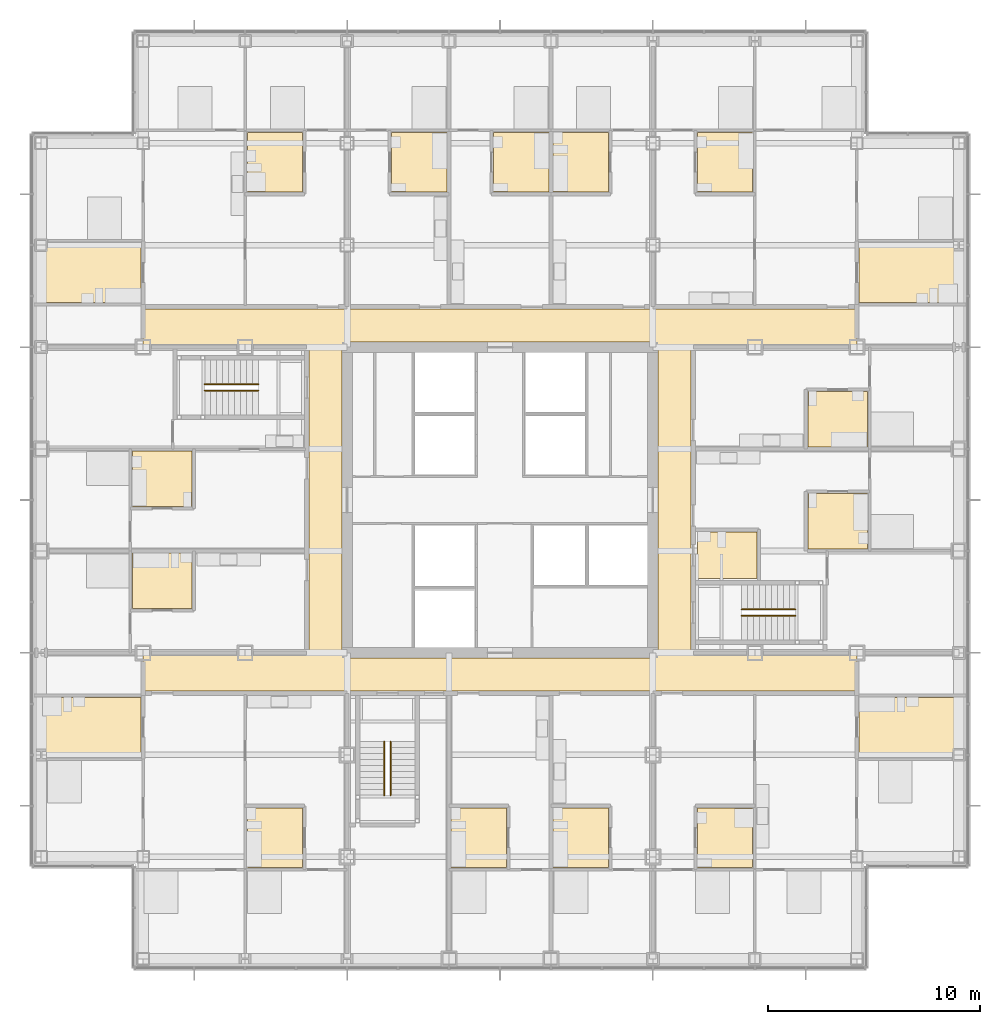
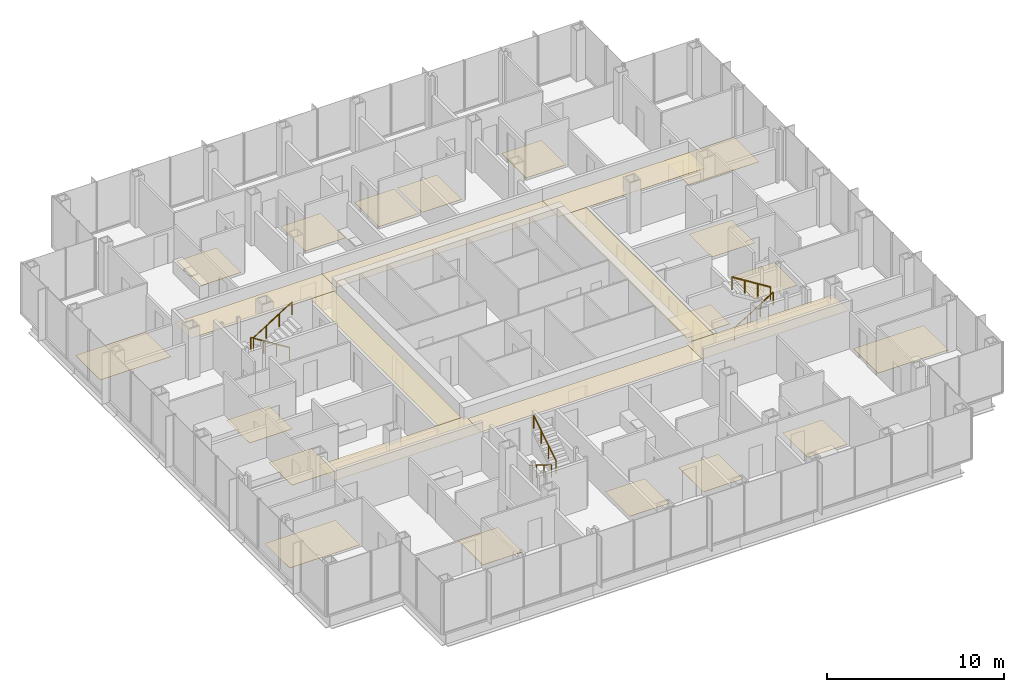
# One storey, part 19 of 21: 26 coverings, 6 railings.
"""IFC4 building model written with IfcOpenShell, lengths in metres."""

from ifc_helpers import new_model, si_unit, direction, frame, origin, origin_2d, place, context, subcontext, project, spatial, polyline, circle, outline, extrude, material, layer, layer_set, type_object, element, save


model = new_model("IFC4")

# Units and contexts
model_context = context("Model", 3, precision=1e-05, world=origin(), true_north=direction((0.0, 1.0)))
body_context = subcontext(model_context, "Body", "Model", "MODEL_VIEW")
ifc_project = project(units=[si_unit("LENGTHUNIT", "METRE"), si_unit("AREAUNIT", "SQUARE_METRE"), si_unit("VOLUMEUNIT", "CUBIC_METRE"), si_unit("PLANEANGLEUNIT", "RADIAN"), si_unit("MASSUNIT", "GRAM", prefix="KILO")], contexts=[model_context])

# Site, building, storey
site_placement = place(None, origin())
site = spatial("IfcSite", under=ifc_project, at=site_placement, CompositionType="ELEMENT")
building_placement = place(site_placement, origin())
building = spatial("IfcBuilding", under=site, at=building_placement, Name="Kvirike Care Tower", CompositionType="ELEMENT")
storey_placement = place(building_placement, frame((0.0, 0.0, 48.0)))
storey = spatial("IfcBuildingStorey", under=building, at=storey_placement, Name="L12", CompositionType="ELEMENT", Elevation=48.0)

# Coverings
ifc_material_1 = material(Name="Perforated metal ceiling tile", Category="aluminium")
ifc_layer_1 = layer(ifc_material_1, 0.014892578125)
ifc_layer_set_1 = layer_set([ifc_layer_1], Name="CORRIDOR CEILING 15")
covering_type_1 = type_object("IfcCoveringType", Name="CORRIDOR CEILING 15", PredefinedType="CEILING", material=ifc_layer_set_1)
covering_1_placement = place(storey_placement, frame((0.0, 0.0, 2.5)))
element("IfcCovering", 1, at=covering_1_placement, inside=storey, type_object=covering_type_1, Name="Corridor ceiling L12", PredefinedType="CEILING", context=body_context, shape_type="SweptSolid", body=[
    extrude(outline(polyline([(4.800048828125, 27.0), (4.800048828125, 28.800048828125), (14.39990234375, 28.800048828125), (14.39990234375, 27.0), (4.800048828125, 27.0)])), origin(), (0.0, 0.0, 1.0), 0.014892578125),
])
covering_2_placement = place(storey_placement, frame((0.0, 0.0, 2.5)))
element("IfcCovering", 2, at=covering_2_placement, inside=storey, type_object=covering_type_1, Name="Corridor ceiling L12", PredefinedType="CEILING", context=body_context, shape_type="SweptSolid", body=[
    extrude(outline(polyline([(12.60009765625, 43.199951171875), (14.14990234375, 43.199951171875), (14.14990234375, 28.800048828125), (12.60009765625, 28.800048828125), (12.60009765625, 43.199951171875)])), origin(), (0.0, 0.0, 1.0), 0.014892578125),
])
covering_3_placement = place(storey_placement, frame((0.0, 0.0, 2.5)))
element("IfcCovering", 3, at=covering_3_placement, inside=storey, type_object=covering_type_1, Name="Corridor ceiling L12", PredefinedType="CEILING", context=body_context, shape_type="SweptSolid", body=[
    extrude(outline(polyline([(14.39990234375, 45.0), (14.39990234375, 43.199951171875), (4.800048828125, 43.199951171875), (4.800048828125, 45.0), (14.39990234375, 45.0)])), origin(), (0.0, 0.0, 1.0), 0.014892578125),
])
covering_4_placement = place(storey_placement, frame((0.0, 0.0, 2.5)))
element("IfcCovering", 4, at=covering_4_placement, inside=storey, type_object=covering_type_1, Name="Corridor ceiling L12", PredefinedType="CEILING", context=body_context, shape_type="SweptSolid", body=[
    extrude(outline(polyline([(14.39990234375, 27.0), (14.39990234375, 28.550048828125), (28.800048828125, 28.550048828125), (28.800048828125, 27.0), (14.39990234375, 27.0)])), origin(), (0.0, 0.0, 1.0), 0.014892578125),
])
covering_5_placement = place(storey_placement, frame((0.0, 0.0, 2.5)))
element("IfcCovering", 5, at=covering_5_placement, inside=storey, type_object=covering_type_1, Name="Corridor ceiling L12", PredefinedType="CEILING", context=body_context, shape_type="SweptSolid", body=[
    extrude(outline(polyline([(28.800048828125, 45.0), (28.800048828125, 43.449951171875), (14.39990234375, 43.449951171875), (14.39990234375, 45.0), (28.800048828125, 45.0)])), origin(), (0.0, 0.0, 1.0), 0.014892578125),
])
covering_6_placement = place(storey_placement, frame((0.0, 0.0, 2.5)))
element("IfcCovering", 6, at=covering_6_placement, inside=storey, type_object=covering_type_1, Name="Corridor ceiling L12", PredefinedType="CEILING", context=body_context, shape_type="SweptSolid", body=[
    extrude(outline(polyline([(28.800048828125, 27.0), (28.800048828125, 28.800048828125), (38.39990234375, 28.800048828125), (38.39990234375, 27.0), (28.800048828125, 27.0)])), origin(), (0.0, 0.0, 1.0), 0.014892578125),
])
covering_7_placement = place(storey_placement, frame((0.0, 0.0, 2.5)))
element("IfcCovering", 7, at=covering_7_placement, inside=storey, type_object=covering_type_1, Name="Corridor ceiling L12", PredefinedType="CEILING", context=body_context, shape_type="SweptSolid", body=[
    extrude(outline(polyline([(30.60009765625, 28.800048828125), (29.050048828125, 28.800048828125), (29.050048828125, 43.199951171875), (30.60009765625, 43.199951171875), (30.60009765625, 28.800048828125)])), origin(), (0.0, 0.0, 1.0), 0.014892578125),
])
covering_8_placement = place(storey_placement, frame((0.0, 0.0, 2.5)))
element("IfcCovering", 8, at=covering_8_placement, inside=storey, type_object=covering_type_1, Name="Corridor ceiling L12", PredefinedType="CEILING", context=body_context, shape_type="SweptSolid", body=[
    extrude(outline(polyline([(38.39990234375, 45.0), (38.39990234375, 43.199951171875), (28.800048828125, 43.199951171875), (28.800048828125, 45.0), (38.39990234375, 45.0)])), origin(), (0.0, 0.0, 1.0), 0.014892578125),
])

# Railings
ifc_material_2 = material(Name="Stainless steel handrail", Category="steel")
railing_type = type_object("IfcRailingType", Name="STAIR HANDRAIL 900", PredefinedType="HANDRAIL", material=ifc_material_2)
railing_1_placement = place(storey_placement, frame((10.219970703125, 41.449951171875, 0.175048828125)))
element("IfcRailing", 9, at=railing_1_placement, inside=storey, type_object=railing_type, Name="Stair 1 handrail L12 flight 1", PredefinedType="HANDRAIL", context=body_context, shape_type="SweptSolid", body=[
    extrude(circle(Radius=0.02490234375, at=origin_2d()), frame((0.0, 0.0, 0.875), z_axis=(-0.848007534815, 0.0, 0.529984170421), x_axis=(0.0, -1.0, 0.0)), (0.0, 0.0, 1.0), 2.9716796875),
    extrude(circle(Radius=0.02001953125, at=origin_2d()), origin(), (0.0, 0.0, 1.0), 0.849853515625),
    extrude(circle(Radius=0.02001953125, at=origin_2d()), frame((-0.840087890625, 0.0, 0.52490234375)), (0.0, 0.0, 1.0), 0.849853515625),
    extrude(circle(Radius=0.02001953125, at=origin_2d()), frame((-1.679931640625, 0.0, 1.050048828125)), (0.0, 0.0, 1.0), 0.849853515625),
    extrude(circle(Radius=0.02001953125, at=origin_2d()), frame((-2.52001953125, 0.0, 1.574951171875)), (0.0, 0.0, 1.0), 0.849853515625),
])
for number, where, name in (
    (10, (7.699951171875, 41.14990234375, 1.925048828125), "Stair 1 handrail L12 flight 2"),
    (11, (32.97998046875, 30.550048828125, 0.175048828125), "Stair 2 handrail L12 flight 1"),
):
    element("IfcRailing", number, at=place(storey_placement, frame(where)), inside=storey, type_object=railing_type, Name=name, PredefinedType="HANDRAIL", context=body_context, shape_type="SweptSolid", body=[
        extrude(circle(Radius=0.02490234375, at=origin_2d()), frame((0.0, 0.0, 0.875), z_axis=(0.848007534815, 0.0, 0.529984170421), x_axis=(0.0, 1.0, 0.0)), (0.0, 0.0, 1.0), 2.9716796875),
        extrude(circle(Radius=0.02001953125, at=origin_2d()), origin(), (0.0, 0.0, 1.0), 0.849853515625),
        extrude(circle(Radius=0.02001953125, at=origin_2d()), frame((0.840087890625, 0.0, 0.52490234375)), (0.0, 0.0, 1.0), 0.849853515625),
        extrude(circle(Radius=0.02001953125, at=origin_2d()), frame((1.679931640625, 0.0, 1.050048828125)), (0.0, 0.0, 1.0), 0.849853515625),
        extrude(circle(Radius=0.02001953125, at=origin_2d()), frame((2.52001953125, 0.0, 1.574951171875)), (0.0, 0.0, 1.0), 0.849853515625),
    ])
railing_2_placement = place(storey_placement, frame((35.5, 30.85009765625, 1.925048828125)))
element("IfcRailing", 12, at=railing_2_placement, inside=storey, type_object=railing_type, Name="Stair 2 handrail L12 flight 2", PredefinedType="HANDRAIL", context=body_context, shape_type="SweptSolid", body=[
    extrude(circle(Radius=0.02490234375, at=origin_2d()), frame((0.0, 0.0, 0.875), z_axis=(-0.848007534815, 0.0, 0.529984170421), x_axis=(0.0, -1.0, 0.0)), (0.0, 0.0, 1.0), 2.9716796875),
    extrude(circle(Radius=0.02001953125, at=origin_2d()), origin(), (0.0, 0.0, 1.0), 0.849853515625),
    extrude(circle(Radius=0.02001953125, at=origin_2d()), frame((-0.840087890625, 0.0, 0.52490234375)), (0.0, 0.0, 1.0), 0.849853515625),
    extrude(circle(Radius=0.02001953125, at=origin_2d()), frame((-1.679931640625, 0.0, 1.050048828125)), (0.0, 0.0, 1.0), 0.849853515625),
    extrude(circle(Radius=0.02001953125, at=origin_2d()), frame((-2.52001953125, 0.0, 1.574951171875)), (0.0, 0.0, 1.0), 0.849853515625),
])
railing_3_placement = place(storey_placement, frame((16.14990234375, 24.6201171875, 0.175048828125)))
element("IfcRailing", 13, at=railing_3_placement, inside=storey, type_object=railing_type, Name="Stair 5 handrail L12 flight 1", PredefinedType="HANDRAIL", context=body_context, shape_type="SweptSolid", body=[
    extrude(circle(Radius=0.02490234375, at=origin_2d()), frame((0.0, 0.0, 0.875), z_axis=(0.0, -0.848007534815, 0.529984170421), x_axis=(1.0, 0.0, 0.0)), (0.0, 0.0, 1.0), 2.9716796875),
    extrude(circle(Radius=0.02001953125, at=origin_2d()), origin(), (0.0, 0.0, 1.0), 0.849853515625),
    extrude(circle(Radius=0.02001953125, at=origin_2d()), frame((0.0, -0.840087890625, 0.52490234375)), (0.0, 0.0, 1.0), 0.849853515625),
    extrude(circle(Radius=0.02001953125, at=origin_2d()), frame((0.0, -1.679931640625, 1.050048828125)), (0.0, 0.0, 1.0), 0.849853515625),
    extrude(circle(Radius=0.02001953125, at=origin_2d()), frame((0.0, -2.52001953125, 1.574951171875)), (0.0, 0.0, 1.0), 0.849853515625),
])
railing_4_placement = place(storey_placement, frame((16.449951171875, 22.10009765625, 1.925048828125)))
element("IfcRailing", 14, at=railing_4_placement, inside=storey, type_object=railing_type, Name="Stair 5 handrail L12 flight 2", PredefinedType="HANDRAIL", context=body_context, shape_type="SweptSolid", body=[
    extrude(circle(Radius=0.02490234375, at=origin_2d()), frame((0.0, 0.0, 0.875), z_axis=(0.0, 0.848007534815, 0.529984170421), x_axis=(-1.0, 0.0, 0.0)), (0.0, 0.0, 1.0), 2.9716796875),
    extrude(circle(Radius=0.02001953125, at=origin_2d()), origin(), (0.0, 0.0, 1.0), 0.849853515625),
    extrude(circle(Radius=0.02001953125, at=origin_2d()), frame((0.0, 0.840087890625, 0.52490234375)), (0.0, 0.0, 1.0), 0.849853515625),
    extrude(circle(Radius=0.02001953125, at=origin_2d()), frame((0.0, 1.679931640625, 1.050048828125)), (0.0, 0.0, 1.0), 0.849853515625),
    extrude(circle(Radius=0.02001953125, at=origin_2d()), frame((0.0, 2.52001953125, 1.574951171875)), (0.0, 0.0, 1.0), 0.849853515625),
])

# Coverings
ifc_material_3 = material(Name="Slip-resistant vinyl safety flooring on screed")
ifc_layer_2 = layer(ifc_material_3, 0.02001953125)
ifc_layer_set_2 = layer_set([ifc_layer_2], Name="WET ROOM FLOOR 20")
covering_type_2 = type_object("IfcCoveringType", Name="WET ROOM FLOOR 20", PredefinedType="FLOORING", material=ifc_layer_set_2)
covering_9_placement = place(storey_placement, origin())
element("IfcCovering", 15, at=covering_9_placement, inside=storey, type_object=covering_type_2, Name="Shower room floor L12-005", PredefinedType="FLOORING", context=body_context, shape_type="SweptSolid", body=[
    extrude(outline(polyline([(0.10009765625, 23.89990234375), (0.10009765625, 26.699951171875), (4.699951171875, 26.699951171875), (4.699951171875, 23.89990234375), (0.10009765625, 23.89990234375)])), origin(), (0.0, 0.0, 1.0), 0.02001953125),
])
covering_10_placement = place(storey_placement, origin())
element("IfcCovering", 16, at=covering_10_placement, inside=storey, type_object=covering_type_2, Name="Bathroom floor L12-006", PredefinedType="FLOORING", context=body_context, shape_type="SweptSolid", body=[
    extrude(outline(polyline([(9.699951171875, 18.699951171875), (9.699951171875, 21.5), (12.300048828125, 21.5), (12.300048828125, 18.699951171875), (9.699951171875, 18.699951171875)])), origin(), (0.0, 0.0, 1.0), 0.02001953125),
])
covering_11_placement = place(storey_placement, origin())
element("IfcCovering", 17, at=covering_11_placement, inside=storey, type_object=covering_type_2, Name="Bathroom floor L12-013", PredefinedType="FLOORING", context=body_context, shape_type="SweptSolid", body=[
    extrude(outline(polyline([(4.300048828125, 38.300048828125), (7.10009765625, 38.300048828125), (7.10009765625, 35.699951171875), (4.300048828125, 35.699951171875), (4.300048828125, 38.300048828125)])), origin(), (0.0, 0.0, 1.0), 0.02001953125),
])
covering_12_placement = place(storey_placement, origin())
element("IfcCovering", 18, at=covering_12_placement, inside=storey, type_object=covering_type_2, Name="Bathroom floor L12-017", PredefinedType="FLOORING", context=body_context, shape_type="SweptSolid", body=[
    extrude(outline(polyline([(4.300048828125, 33.5), (7.10009765625, 33.5), (7.10009765625, 30.89990234375), (4.300048828125, 30.89990234375), (4.300048828125, 33.5)])), origin(), (0.0, 0.0, 1.0), 0.02001953125),
])
covering_13_placement = place(storey_placement, origin())
element("IfcCovering", 19, at=covering_13_placement, inside=storey, type_object=covering_type_2, Name="Shower room floor L12-023", PredefinedType="FLOORING", context=body_context, shape_type="SweptSolid", body=[
    extrude(outline(polyline([(12.300048828125, 53.300048828125), (12.300048828125, 50.5), (9.699951171875, 50.5), (9.699951171875, 53.300048828125), (12.300048828125, 53.300048828125)])), origin(), (0.0, 0.0, 1.0), 0.02001953125),
])
covering_14_placement = place(storey_placement, origin())
element("IfcCovering", 20, at=covering_14_placement, inside=storey, type_object=covering_type_2, Name="Bathroom floor L12-024", PredefinedType="FLOORING", context=body_context, shape_type="SweptSolid", body=[
    extrude(outline(polyline([(4.699951171875, 48.10009765625), (4.699951171875, 45.300048828125), (0.10009765625, 45.300048828125), (0.10009765625, 48.10009765625), (4.699951171875, 48.10009765625)])), origin(), (0.0, 0.0, 1.0), 0.02001953125),
])
covering_15_placement = place(storey_placement, origin())
element("IfcCovering", 21, at=covering_15_placement, inside=storey, type_object=covering_type_2, Name="Bathroom floor L12-031", PredefinedType="FLOORING", context=body_context, shape_type="SweptSolid", body=[
    extrude(outline(polyline([(19.300048828125, 18.699951171875), (19.300048828125, 21.5), (21.89990234375, 21.5), (21.89990234375, 18.699951171875), (19.300048828125, 18.699951171875)])), origin(), (0.0, 0.0, 1.0), 0.02001953125),
])
covering_16_placement = place(storey_placement, origin())
element("IfcCovering", 22, at=covering_16_placement, inside=storey, type_object=covering_type_2, Name="Bathroom floor L12-034", PredefinedType="FLOORING", context=body_context, shape_type="SweptSolid", body=[
    extrude(outline(polyline([(24.10009765625, 18.699951171875), (24.10009765625, 21.5), (26.699951171875, 21.5), (26.699951171875, 18.699951171875), (24.10009765625, 18.699951171875)])), origin(), (0.0, 0.0, 1.0), 0.02001953125),
])
covering_17_placement = place(storey_placement, origin())
element("IfcCovering", 23, at=covering_17_placement, inside=storey, type_object=covering_type_2, Name="Bathroom floor L12-038", PredefinedType="FLOORING", context=body_context, shape_type="SweptSolid", body=[
    extrude(outline(polyline([(26.699951171875, 53.300048828125), (26.699951171875, 50.5), (24.10009765625, 50.5), (24.10009765625, 53.300048828125), (26.699951171875, 53.300048828125)])), origin(), (0.0, 0.0, 1.0), 0.02001953125),
])
covering_18_placement = place(storey_placement, origin())
element("IfcCovering", 24, at=covering_18_placement, inside=storey, type_object=covering_type_2, Name="Bathroom floor L12-041", PredefinedType="FLOORING", context=body_context, shape_type="SweptSolid", body=[
    extrude(outline(polyline([(23.89990234375, 53.300048828125), (23.89990234375, 50.5), (21.300048828125, 50.5), (21.300048828125, 53.300048828125), (23.89990234375, 53.300048828125)])), origin(), (0.0, 0.0, 1.0), 0.02001953125),
])
covering_19_placement = place(storey_placement, origin())
element("IfcCovering", 25, at=covering_19_placement, inside=storey, type_object=covering_type_2, Name="Bathroom floor L12-044", PredefinedType="FLOORING", context=body_context, shape_type="SweptSolid", body=[
    extrude(outline(polyline([(19.10009765625, 53.300048828125), (19.10009765625, 50.5), (16.5, 50.5), (16.5, 53.300048828125), (19.10009765625, 53.300048828125)])), origin(), (0.0, 0.0, 1.0), 0.02001953125),
])
covering_20_placement = place(storey_placement, origin())
element("IfcCovering", 26, at=covering_20_placement, inside=storey, type_object=covering_type_2, Name="Shower room floor L12-050", PredefinedType="FLOORING", context=body_context, shape_type="SweptSolid", body=[
    extrude(outline(polyline([(30.89990234375, 18.699951171875), (30.89990234375, 21.5), (33.5, 21.5), (33.5, 18.699951171875), (30.89990234375, 18.699951171875)])), origin(), (0.0, 0.0, 1.0), 0.02001953125),
])
covering_21_placement = place(storey_placement, origin())
element("IfcCovering", 27, at=covering_21_placement, inside=storey, type_object=covering_type_2, Name="Bathroom floor L12-051", PredefinedType="FLOORING", context=body_context, shape_type="SweptSolid", body=[
    extrude(outline(polyline([(38.5, 23.89990234375), (38.5, 26.699951171875), (43.10009765625, 26.699951171875), (43.10009765625, 23.89990234375), (38.5, 23.89990234375)])), origin(), (0.0, 0.0, 1.0), 0.02001953125),
])
covering_22_placement = place(storey_placement, origin())
element("IfcCovering", 28, at=covering_22_placement, inside=storey, type_object=covering_type_2, Name="Accessible WC floor L12-058", PredefinedType="FLOORING", context=body_context, shape_type="SweptSolid", body=[
    extrude(outline(polyline([(33.699951171875, 32.300048828125), (30.89990234375, 32.300048828125), (30.89990234375, 34.5), (33.699951171875, 34.5), (33.699951171875, 32.300048828125)])), origin(), (0.0, 0.0, 1.0), 0.02001953125),
])
covering_23_placement = place(storey_placement, origin())
element("IfcCovering", 29, at=covering_23_placement, inside=storey, type_object=covering_type_2, Name="Bathroom floor L12-059", PredefinedType="FLOORING", context=body_context, shape_type="SweptSolid", body=[
    extrude(outline(polyline([(38.89990234375, 33.699951171875), (36.10009765625, 33.699951171875), (36.10009765625, 36.300048828125), (38.89990234375, 36.300048828125), (38.89990234375, 33.699951171875)])), origin(), (0.0, 0.0, 1.0), 0.02001953125),
])
covering_24_placement = place(storey_placement, origin())
element("IfcCovering", 30, at=covering_24_placement, inside=storey, type_object=covering_type_2, Name="Bathroom floor L12-062", PredefinedType="FLOORING", context=body_context, shape_type="SweptSolid", body=[
    extrude(outline(polyline([(38.89990234375, 38.5), (36.10009765625, 38.5), (36.10009765625, 41.10009765625), (38.89990234375, 41.10009765625), (38.89990234375, 38.5)])), origin(), (0.0, 0.0, 1.0), 0.02001953125),
])
covering_25_placement = place(storey_placement, origin())
element("IfcCovering", 31, at=covering_25_placement, inside=storey, type_object=covering_type_2, Name="Shower room floor L12-068", PredefinedType="FLOORING", context=body_context, shape_type="SweptSolid", body=[
    extrude(outline(polyline([(43.10009765625, 48.10009765625), (43.10009765625, 45.300048828125), (38.5, 45.300048828125), (38.5, 48.10009765625), (43.10009765625, 48.10009765625)])), origin(), (0.0, 0.0, 1.0), 0.02001953125),
])
covering_26_placement = place(storey_placement, origin())
element("IfcCovering", 32, at=covering_26_placement, inside=storey, type_object=covering_type_2, Name="Bathroom floor L12-069", PredefinedType="FLOORING", context=body_context, shape_type="SweptSolid", body=[
    extrude(outline(polyline([(33.5, 53.300048828125), (33.5, 50.5), (30.89990234375, 50.5), (30.89990234375, 53.300048828125), (33.5, 53.300048828125)])), origin(), (0.0, 0.0, 1.0), 0.02001953125),
])

save(model, "model.ifc")
